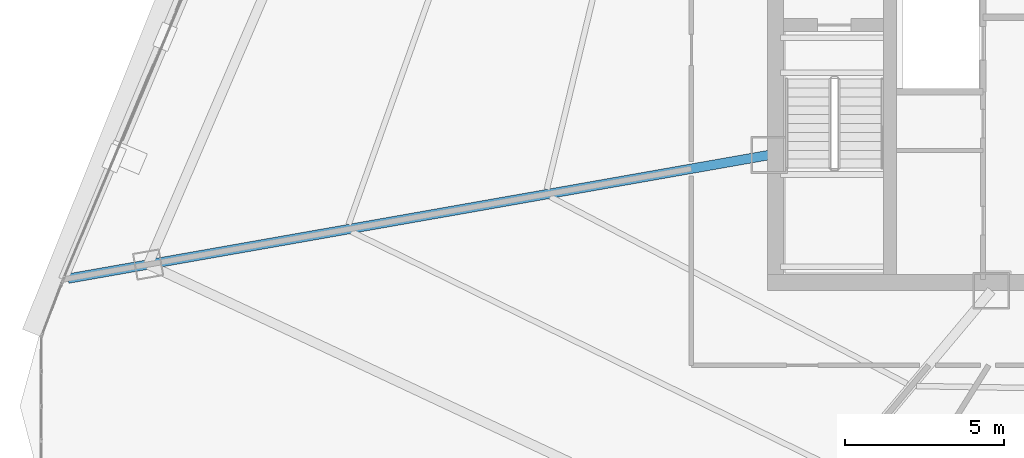
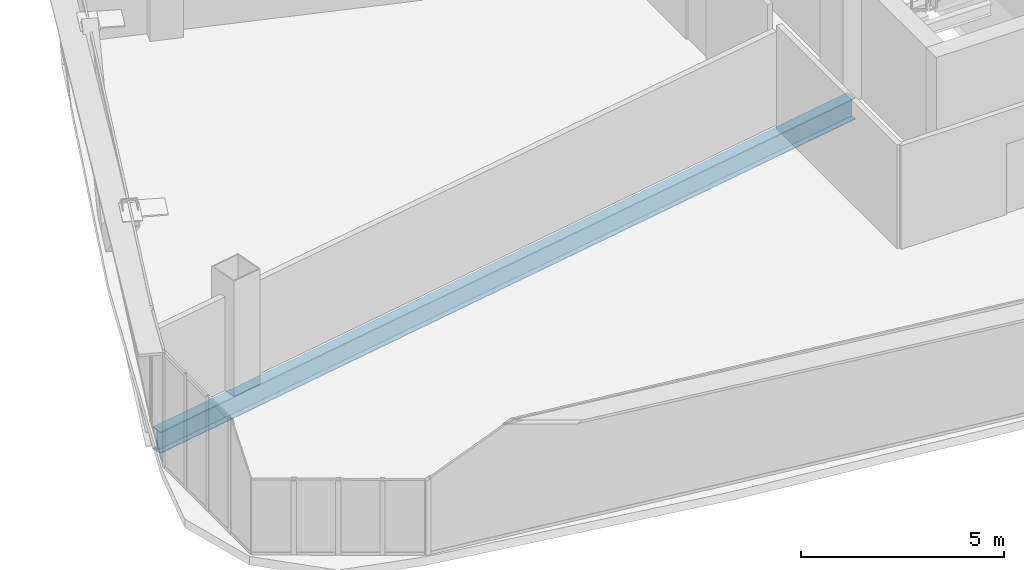
# One storey, part 5 of 36: 1 beam.
"""IFC4 building model written with IfcOpenShell, lengths in metres."""

from ifc_helpers import new_model, si_unit, direction, frame, origin, origin_2d, place, context, subcontext, project, spatial, i_section, extrude, source, transform, mapped, material, material_profile, profile_set, type_object, element, save


model = new_model("IFC4")

# Units and contexts
model_context = context("Model", 3, precision=1e-05, world=origin(), true_north=direction((0.0, 1.0)))
body_context = subcontext(model_context, "Body", "Model", "MODEL_VIEW")
ifc_project = project(units=[si_unit("LENGTHUNIT", "METRE"), si_unit("AREAUNIT", "SQUARE_METRE"), si_unit("VOLUMEUNIT", "CUBIC_METRE"), si_unit("PLANEANGLEUNIT", "RADIAN"), si_unit("MASSUNIT", "GRAM", prefix="KILO"), si_unit("THERMODYNAMICTEMPERATUREUNIT", "KELVIN"), si_unit("POWERUNIT", "WATT")], contexts=[model_context])

# Site, building, storey
site_placement = place(None, origin())
site = spatial("IfcSite", under=ifc_project, at=site_placement, CompositionType="ELEMENT")
building_placement = place(site_placement, origin())
building = spatial("IfcBuilding", under=site, at=building_placement, Name="Yunzhuo Pagoda Commons", CompositionType="ELEMENT")
storey_placement = place(building_placement, frame((0.0, 0.0, 248.260009765625)))
storey = spatial("IfcBuildingStorey", under=building, at=storey_placement, Name="L62", CompositionType="ELEMENT", Elevation=248.260009765625)

# Beam
ifc_material = material(Name="Structural steel Q355B", Category="steel")
ifc_material_profile = material_profile(ifc_material, i_section(OverallWidth=0.300048828125, OverallDepth=0.64990234375, WebThickness=0.012939453125, FlangeThickness=0.02197265625, at=origin_2d()), Name="Structural steel Q355B")
ifc_profile_set = profile_set([ifc_material_profile], Name="Structural steel Q355B")
beam_type = type_object("IfcBeamType", Name="B-RG2 Beam HN 650x300x13x22", PredefinedType="BEAM", material=ifc_profile_set)
shared_shape = source(origin(), body_context, "Body", "SweptSolid", [
    extrude(i_section(OverallWidth=0.300048828125, OverallDepth=0.64990234375, WebThickness=0.012939453125, FlangeThickness=0.02197265625, at=origin_2d()), origin(), (0.0, 0.0, 1.0), 22.39208984375),
])
beam_placement = place(storey_placement, frame((13.548095703125, 27.625244140625, -0.5849609375), z_axis=(0.984809122528, 0.173640410577, 0.0), x_axis=(-0.173640410577, 0.984809122528, 0.0)))
element("IfcBeam", 1, at=beam_placement, inside=storey, type_object=beam_type, Name="L62 radial floor girder F3C4", PredefinedType="BEAM", context=body_context, shape_type="MappedRepresentation", body=[
    mapped(shared_shape, transform((0.0, 0.0, 0.0), scale=1.0)),
])

save(model, "model.ifc")
